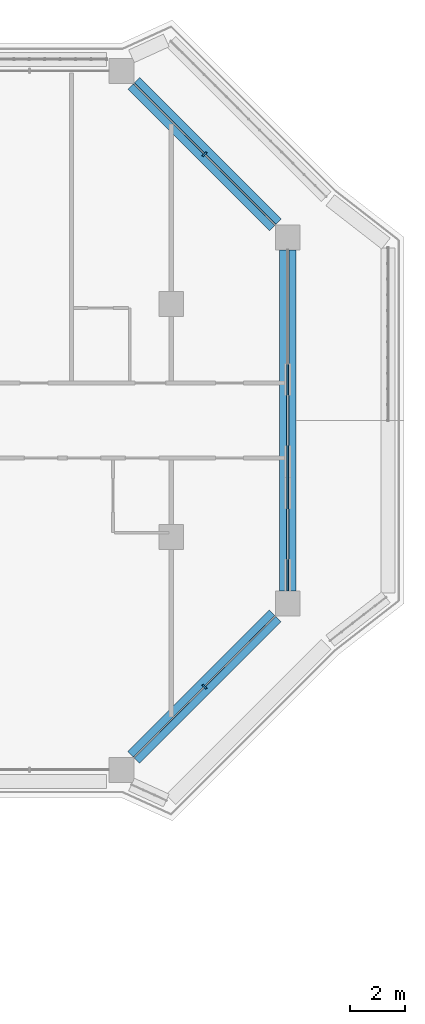
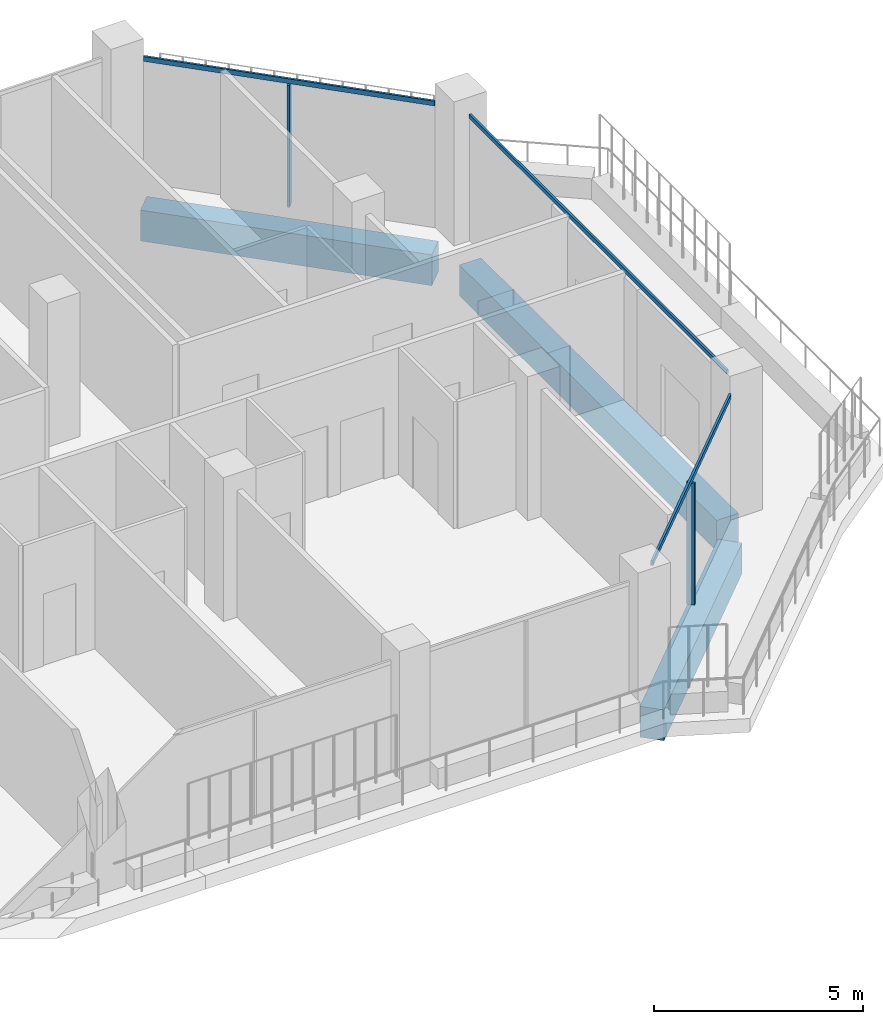
# One storey, part 7 of 23: 5 members, 3 beams, 3 elements without a shape of their own.
"""IFC4 building model written with IfcOpenShell, lengths in metres."""

from ifc_helpers import new_model, si_unit, direction, frame, origin, origin_2d, place, context, subcontext, project, spatial, rectangle, extrude, material, layer, layer_set, material_profile, profile_set, type_object, element, aggregate, save


model = new_model("IFC4")

# Units and contexts
model_context = context("Model", 3, precision=1e-05, world=origin(), true_north=direction((0.0, 1.0)))
body_context = subcontext(model_context, "Body", "Model", "MODEL_VIEW")
ifc_project = project(units=[si_unit("LENGTHUNIT", "METRE"), si_unit("AREAUNIT", "SQUARE_METRE"), si_unit("VOLUMEUNIT", "CUBIC_METRE"), si_unit("PLANEANGLEUNIT", "RADIAN"), si_unit("MASSUNIT", "GRAM", prefix="KILO")], contexts=[model_context])

# Site, building, storey
site_placement = place(None, origin())
site = spatial("IfcSite", under=ifc_project, at=site_placement, CompositionType="ELEMENT")
building_placement = place(site_placement, origin())
building = spatial("IfcBuilding", under=site, at=building_placement, Name="Kawkab Arch Medical Tower", CompositionType="ELEMENT")
storey_placement = place(building_placement, frame((0.0, 0.0, 268.39990234375)))
storey = spatial("IfcBuildingStorey", under=building, at=storey_placement, Name="L62", CompositionType="ELEMENT", Elevation=268.39990234375)

# Curtain wall, member
ifc_material_1 = material(Name="Bronze anodised aluminium curtain wall frame", Category="aluminium")
ifc_layer_1 = layer(ifc_material_1, 0.159912109375)
ifc_layer_set_1 = layer_set([ifc_layer_1], Name="Bronze anodised aluminium curtain wall frame")
curtain_wall_type_1 = type_object("IfcCurtainWallType", Name="CW1 ward curtain wall", PredefinedType="NOTDEFINED", material=ifc_layer_set_1)
placement = place(storey_placement, origin())
curtain_wall_1 = element("IfcCurtainWall", 1, at=placement, inside=storey, type_object=curtain_wall_type_1, Name="CW1 Ward curtain wall R09", PredefinedType="NOTDEFINED")
ifc_material_2 = material(Name="Bronze anodised aluminium curtain wall frame", Category="aluminium")
ifc_material_profile_1 = material_profile(ifc_material_2, rectangle(XDim=0.06005859375, YDim=0.1201171875, at=origin_2d()), Name="AL 60x120")
ifc_profile_set_1 = profile_set([ifc_material_profile_1], Name="Bronze anodised aluminium curtain wall frame")
member_type_1 = type_object("IfcMemberType", Name="CW1 transom 120 x 60", PredefinedType="USERDEFINED", material=ifc_profile_set_1)
member_1_placement = place(storey_placement, frame((63.0, -18.75, 3.64013671875), z_axis=(0.0, 1.0, 0.0), x_axis=(-1.0, 0.0, 0.0)))
member_1 = element("IfcMember", 2, at=member_1_placement, type_object=member_type_1, Name="CW1 transom 1", ObjectType="TRANSOM", PredefinedType="USERDEFINED", context=body_context, shape_type="SweptSolid", body=[
    extrude(rectangle(XDim=0.06005859375, YDim=0.1201171875, at=origin_2d()), origin(), (0.0, 0.0, 1.0), 12.300048828125),
])
aggregate(curtain_wall_1, [member_1])

ifc_material_3 = material(Name="Bronze anodised aluminium curtain wall frame", Category="aluminium")
ifc_layer_2 = layer(ifc_material_3, 0.159912109375)
ifc_layer_set_2 = layer_set([ifc_layer_2], Name="Bronze anodised aluminium curtain wall frame")
curtain_wall_type_2 = type_object("IfcCurtainWallType", Name="CW2 chamfer curtain wall", PredefinedType="NOTDEFINED", material=ifc_layer_set_2)
curtain_wall_2 = element("IfcCurtainWall", 3, at=placement, inside=storey, type_object=curtain_wall_type_2, Name="CW2 Chamfer curtain wall R08", PredefinedType="NOTDEFINED")
ifc_material_4 = material(Name="Bronze anodised aluminium curtain wall frame", Category="aluminium")
ifc_material_profile_2 = material_profile(ifc_material_4, rectangle(XDim=0.199951171875, YDim=0.06005859375, at=origin_2d()), Name="AL 60x200")
ifc_profile_set_2 = profile_set([ifc_material_profile_2], Name="Bronze anodised aluminium curtain wall frame")
member_type_2 = type_object("IfcMemberType", Name="CW2 mullion 60 x 200", PredefinedType="MULLION", material=ifc_profile_set_2)
member_2_placement = place(storey_placement, frame((60.0, -22.199951171875, 0.0), z_axis=(0.0, 0.0, 1.0), x_axis=(-0.707106781187, 0.707106781187, 0.0)))
member_2 = element("IfcMember", 4, at=member_2_placement, type_object=member_type_2, Name="CW2 mullion 1.1", PredefinedType="MULLION", context=body_context, shape_type="SweptSolid", body=[
    extrude(rectangle(XDim=0.199951171875, YDim=0.06005859375, at=origin_2d()), origin(), (0.0, 0.0, 1.0), 3.56005859375),
])

curtain_wall_3 = element("IfcCurtainWall", 5, at=placement, inside=storey, type_object=curtain_wall_type_2, Name="CW2 Chamfer curtain wall R10", PredefinedType="NOTDEFINED")
member_3_placement = place(storey_placement, frame((60.0, -3.0, 0.0), z_axis=(0.0, 0.0, 1.0), x_axis=(-0.707106781187, -0.707106781187, 0.0)))
member_3 = element("IfcMember", 6, at=member_3_placement, type_object=member_type_2, Name="CW2 mullion 1.1", PredefinedType="MULLION", context=body_context, shape_type="SweptSolid", body=[
    extrude(rectangle(XDim=0.199951171875, YDim=0.06005859375, at=origin_2d()), origin(), (0.0, 0.0, 1.0), 3.56005859375),
])

# Member
ifc_material_5 = material(Name="Bronze anodised aluminium curtain wall frame", Category="aluminium")
ifc_material_profile_3 = material_profile(ifc_material_5, rectangle(XDim=0.06005859375, YDim=0.139892578125, at=origin_2d()), Name="AL 60x140")
ifc_profile_set_3 = profile_set([ifc_material_profile_3], Name="Bronze anodised aluminium curtain wall frame")
member_type_3 = type_object("IfcMemberType", Name="CW2 transom 140 x 60", PredefinedType="USERDEFINED", material=ifc_profile_set_3)
member_4_placement = place(storey_placement, frame((57.449951171875, -24.75, 3.630126953125), z_axis=(0.707106781187, 0.707106781187, 0.0), x_axis=(-0.707106781187, 0.707106781187, 0.0)))
member_4 = element("IfcMember", 7, at=member_4_placement, type_object=member_type_3, Name="CW2 transom 1", ObjectType="TRANSOM", PredefinedType="USERDEFINED", context=body_context, shape_type="SweptSolid", body=[
    extrude(rectangle(XDim=0.06005859375, YDim=0.139892578125, at=origin_2d()), origin(), (0.0, 0.0, 1.0), 7.212646484375),
])

aggregate(curtain_wall_2, [member_4, member_2])

member_5_placement = place(storey_placement, frame((62.550048828125, -5.550048828125, 3.630126953125), z_axis=(-0.707106781187, 0.707106781187, 0.0), x_axis=(-0.707106781187, -0.707106781187, 0.0)))
member_5 = element("IfcMember", 8, at=member_5_placement, type_object=member_type_3, Name="CW2 transom 1", ObjectType="TRANSOM", PredefinedType="USERDEFINED", context=body_context, shape_type="SweptSolid", body=[
    extrude(rectangle(XDim=0.06005859375, YDim=0.139892578125, at=origin_2d()), origin(), (0.0, 0.0, 1.0), 7.212646484375),
])

aggregate(curtain_wall_3, [member_5, member_3])

# Beams
ifc_material_6 = material(Name="Concrete C45/55", Category="concrete")
ifc_material_profile_4 = material_profile(ifc_material_6, rectangle(XDim=0.60009765625, YDim=0.89990234375, at=origin_2d()), Name="RC 600x900")
ifc_profile_set_4 = profile_set([ifc_material_profile_4], Name="Concrete C45/55")
beam_type = type_object("IfcBeamType", Name="RC 600x900 beam C45/55", PredefinedType="BEAM", material=ifc_profile_set_4)
beam_1_placement = place(storey_placement, frame((57.449951171875, -0.449951171875, -1.0498046875), z_axis=(0.707106781187, -0.707106781187, 0.0), x_axis=(0.707106781187, 0.707106781187, 0.0)))
element("IfcBeam", 9, at=beam_1_placement, inside=storey, type_object=beam_type, Name="Overhang edge beam L62-01", PredefinedType="BEAM", context=body_context, shape_type="SweptSolid", body=[
    extrude(rectangle(XDim=0.60009765625, YDim=0.89990234375, at=origin_2d()), origin(), (0.0, 0.0, 1.0), 7.212646484375),
])
beam_2_placement = place(storey_placement, frame((63.0, -6.449951171875, -1.0498046875), z_axis=(0.0, -1.0, 0.0), x_axis=(1.0, 0.0, 0.0)))
element("IfcBeam", 10, at=beam_2_placement, inside=storey, type_object=beam_type, Name="Overhang edge beam L62-02", PredefinedType="BEAM", context=body_context, shape_type="SweptSolid", body=[
    extrude(rectangle(XDim=0.60009765625, YDim=0.89990234375, at=origin_2d()), origin(), (0.0, 0.0, 1.0), 12.300048828125),
])
beam_3_placement = place(storey_placement, frame((62.550048828125, -19.64990234375, -1.0498046875), z_axis=(-0.707106781187, -0.707106781187, 0.0), x_axis=(0.707106781187, -0.707106781187, 0.0)))
element("IfcBeam", 11, at=beam_3_placement, inside=storey, type_object=beam_type, Name="Overhang edge beam L62-03", PredefinedType="BEAM", context=body_context, shape_type="SweptSolid", body=[
    extrude(rectangle(XDim=0.60009765625, YDim=0.89990234375, at=origin_2d()), origin(), (0.0, 0.0, 1.0), 7.212646484375),
])

save(model, "model.ifc")
